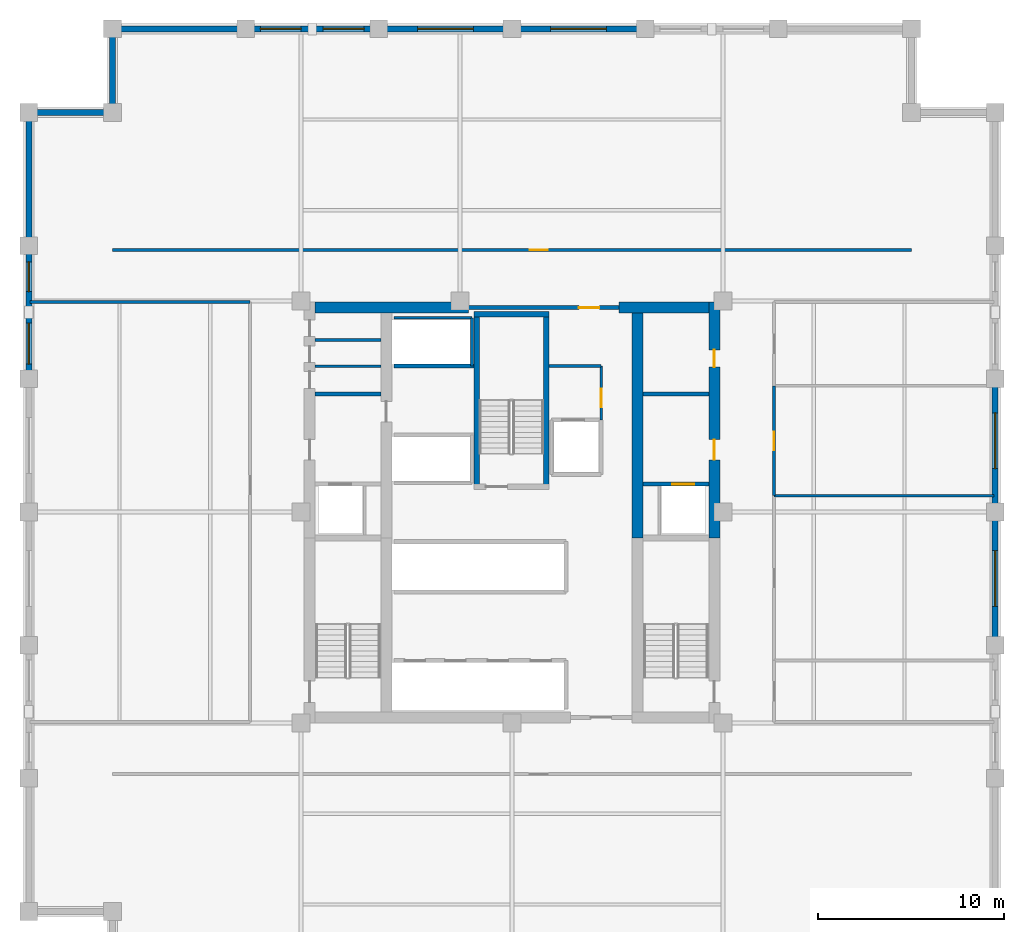
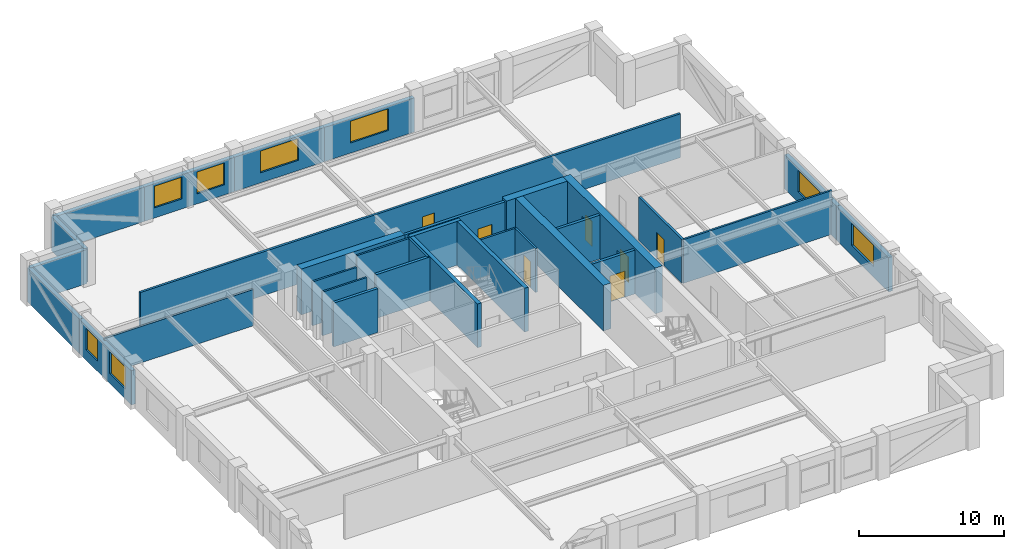
# One storey, part 4 of 6: 32 walls, 8 windows, 7 doors, 15 openings.
"""IFC4 building model written with IfcOpenShell, lengths in metres."""

from ifc_helpers import new_model, si_unit, direction, frame, frame_2d, origin, place, context, subcontext, project, spatial, rectangle, extrude, material, layer, layer_set, type_object, element, fill, save


model = new_model("IFC4")

# Units and contexts
model_context = context("Model", 3, precision=1e-05, world=origin(), true_north=direction((0.0, 1.0)))
body_context = subcontext(model_context, "Body", "Model", "MODEL_VIEW")
ifc_project = project(units=[si_unit("LENGTHUNIT", "METRE"), si_unit("AREAUNIT", "SQUARE_METRE"), si_unit("VOLUMEUNIT", "CUBIC_METRE"), si_unit("PLANEANGLEUNIT", "RADIAN"), si_unit("MASSUNIT", "GRAM", prefix="KILO")], contexts=[model_context])

# Site, building, storey
site_placement = place(None, origin())
site = spatial("IfcSite", under=ifc_project, at=site_placement, CompositionType="ELEMENT")
building_placement = place(site_placement, origin())
building = spatial("IfcBuilding", under=site, at=building_placement, Name="Nhamokura Convention Tower", CompositionType="ELEMENT")
storey_placement = place(building_placement, frame((0.0, 0.0, 145.25)))
storey = spatial("IfcBuildingStorey", under=building, at=storey_placement, Name="L35", CompositionType="ELEMENT", Elevation=145.25)

# Walls
ifc_material_1 = material(Name="Moisture-resistant tile-backer partition", Category="masonry")
ifc_layer_1 = layer(ifc_material_1, 0.139892578125)
ifc_layer_set_1 = layer_set([ifc_layer_1], Name="BathroomWetWall_140")
wall_type_1 = type_object("IfcWallType", Name="BathroomWetWall_140", PredefinedType="STANDARD", material=ifc_layer_set_1)
wall_1_placement = place(storey_placement, frame((21.409912109375, 39.85009765625, 0.0), z_axis=(0.0, 0.0, 1.0), x_axis=(1.0, 0.0, 0.0)))
element("IfcWall", 1, at=wall_1_placement, inside=storey, type_object=wall_type_1, Name="L35 Wall INT-L35-CWNW1", PredefinedType="STANDARD", context=body_context, shape_type="SweptSolid", body=[
    extrude(rectangle(XDim=3.530029296875, YDim=0.139892578125, at=frame_2d((1.76513671875, 0.0))), origin(), (0.0, 0.0, 1.0), 3.68505859375),
])
ifc_material_2 = material(Name="Bronze-pigmented precast concrete C45/55", Category="concrete")
ifc_layer_2 = layer(ifc_material_2, 0.320068359375)
ifc_layer_set_2 = layer_set([ifc_layer_2], Name="BronzePrecastSpandrel_320")
wall_type_2 = type_object("IfcWallType", Name="BronzePrecastSpandrel_320", PredefinedType="USERDEFINED", material=ifc_layer_set_2)
wall_2_placement = place(storey_placement, frame((10.5, 58.0, 0.0), z_axis=(0.0, 0.0, 1.0), x_axis=(1.0, 0.0, 0.0)))
element("IfcWall", 2, at=wall_2_placement, inside=storey, type_object=wall_type_2, Name="L35 Braced-Bay Precast Wall NORTH 0", ObjectType="SPANDREL_WALL", PredefinedType="USERDEFINED", context=body_context, shape_type="SweptSolid", body=[
    extrude(rectangle(XDim=7.166748046875, YDim=0.320068359375, at=frame_2d((3.58349609375, 0.0))), origin(), (0.0, 0.0, 1.0), 2.885009765625),
])

# Wall, openings, windows
wall_3_placement = place(storey_placement, frame((17.666748046875, 58.0, 0.0), z_axis=(0.0, 0.0, 1.0), x_axis=(1.0, 0.0, 0.0)))
wall_3 = element("IfcWall", 3, at=wall_3_placement, inside=storey, type_object=wall_type_2, Name="L35 Masonry-Frame Wall NORTH 1", ObjectType="SPANDREL_WALL", PredefinedType="USERDEFINED", context=body_context, shape_type="SweptSolid", body=[
    extrude(rectangle(XDim=7.16650390625, YDim=0.320068359375, at=frame_2d((3.583251953125, 0.0))), origin(), (0.0, 0.0, 1.0), 2.885009765625),
])
opening_1_placement = place(wall_3_placement, frame((0.791748046875, 0.0, 0.85009765625)))
opening_1 = element("IfcOpeningElement", 4, at=opening_1_placement, cuts=wall_3, Name="Opening W-06", PredefinedType="OPENING", context=body_context, shape_type="SweptSolid", body=[
    extrude(rectangle(XDim=2.199951171875, YDim=1.8349609375, at=frame_2d((1.10009765625, 0.91748046875))), frame((0.0, 0.169921875, 0.0), z_axis=(0.0, -1.0, 0.0), x_axis=(1.0, 0.0, 0.0)), (0.0, 0.0, 1.0), 0.340087890625),
])
opening_2_placement = place(wall_3_placement, frame((4.175048828125, 0.0, 0.85009765625)))
opening_2 = element("IfcOpeningElement", 5, at=opening_2_placement, cuts=wall_3, Name="Opening W-06", PredefinedType="OPENING", context=body_context, shape_type="SweptSolid", body=[
    extrude(rectangle(XDim=2.199951171875, YDim=1.8349609375, at=frame_2d((1.10009765625, 0.91748046875))), frame((0.0, 0.169921875, 0.0), z_axis=(0.0, -1.0, 0.0), x_axis=(1.0, 0.0, 0.0)), (0.0, 0.0, 1.0), 0.340087890625),
])
ifc_material_3 = material(Name="Solar-control bronze low-E double glass", Category="glass")
window_type_1 = type_object("IfcWindowType", Name="OfficeModuleWindow_Z2_2200", PartitioningType="SINGLE_PANEL", PredefinedType="WINDOW", material=ifc_material_3)
window_1_placement = place(opening_1_placement, origin())
window_1 = element("IfcWindow", 6, at=window_1_placement, inside=storey, type_object=window_type_1, Name="L35 Facade Window NORTH 1-1", OverallHeight=1.8349609375, OverallWidth=2.199951171875, PartitioningType="SINGLE_PANEL", PredefinedType="WINDOW", context=body_context, shape_type="SweptSolid", body=[
    extrude(rectangle(XDim=2.199951171875, YDim=1.8349609375, at=frame_2d((1.10009765625, 0.91748046875))), frame((0.0, 0.030029296875, 0.0), z_axis=(0.0, -1.0, 0.0), x_axis=(1.0, 0.0, 0.0)), (0.0, 0.0, 1.0), 0.06005859375),
])
fill(opening_1, window_1)
window_2_placement = place(opening_2_placement, origin())
window_2 = element("IfcWindow", 7, at=window_2_placement, inside=storey, type_object=window_type_1, Name="L35 Facade Window NORTH 1-2", OverallHeight=1.8349609375, OverallWidth=2.199951171875, PartitioningType="SINGLE_PANEL", PredefinedType="WINDOW", context=body_context, shape_type="SweptSolid", body=[
    extrude(rectangle(XDim=2.199951171875, YDim=1.8349609375, at=frame_2d((1.10009765625, 0.91748046875))), frame((0.0, 0.030029296875, 0.0), z_axis=(0.0, -1.0, 0.0), x_axis=(1.0, 0.0, 0.0)), (0.0, 0.0, 1.0), 0.06005859375),
])
fill(opening_2, window_2)

# Wall, opening, window
wall_4_placement = place(storey_placement, frame((24.833251953125, 58.0, 0.0), z_axis=(0.0, 0.0, 1.0), x_axis=(1.0, 0.0, 0.0)))
wall_4 = element("IfcWall", 8, at=wall_4_placement, inside=storey, type_object=wall_type_2, Name="L35 Masonry-Frame Wall NORTH 2", ObjectType="SPANDREL_WALL", PredefinedType="USERDEFINED", context=body_context, shape_type="SweptSolid", body=[
    extrude(rectangle(XDim=7.166748046875, YDim=0.320068359375, at=frame_2d((3.58349609375, 0.0))), origin(), (0.0, 0.0, 1.0), 2.885009765625),
])
opening_3_placement = place(wall_4_placement, frame((2.083251953125, 0.0, 0.85009765625)))
opening_3 = element("IfcOpeningElement", 9, at=opening_3_placement, cuts=wall_4, Name="Opening W-05", PredefinedType="OPENING", context=body_context, shape_type="SweptSolid", body=[
    extrude(rectangle(XDim=3.0, YDim=1.8349609375, at=frame_2d((1.5, 0.91748046875))), frame((0.0, 0.169921875, 0.0), z_axis=(0.0, -1.0, 0.0), x_axis=(1.0, 0.0, 0.0)), (0.0, 0.0, 1.0), 0.340087890625),
])
ifc_material_4 = material(Name="Solar-control bronze low-E double glass", Category="glass")
window_type_2 = type_object("IfcWindowType", Name="OfficeModuleWindow_Z2_3000", PartitioningType="DOUBLE_PANEL_VERTICAL", PredefinedType="WINDOW", material=ifc_material_4)
window_3_placement = place(opening_3_placement, origin())
window_3 = element("IfcWindow", 10, at=window_3_placement, inside=storey, type_object=window_type_2, Name="L35 Facade Window NORTH 2", OverallHeight=1.8349609375, OverallWidth=3.0, PartitioningType="SINGLE_PANEL", PredefinedType="WINDOW", context=body_context, shape_type="SweptSolid", body=[
    extrude(rectangle(XDim=3.0, YDim=1.8349609375, at=frame_2d((1.5, 0.91748046875))), frame((0.0, 0.030029296875, 0.0), z_axis=(0.0, -1.0, 0.0), x_axis=(1.0, 0.0, 0.0)), (0.0, 0.0, 1.0), 0.06005859375),
])
fill(opening_3, window_3)

wall_5_placement = place(storey_placement, frame((32.0, 58.0, 0.0), z_axis=(0.0, 0.0, 1.0), x_axis=(1.0, 0.0, 0.0)))
wall_5 = element("IfcWall", 11, at=wall_5_placement, inside=storey, type_object=wall_type_2, Name="L35 Masonry-Frame Wall NORTH 3", ObjectType="SPANDREL_WALL", PredefinedType="USERDEFINED", context=body_context, shape_type="SweptSolid", body=[
    extrude(rectangle(XDim=7.166748046875, YDim=0.320068359375, at=frame_2d((3.58349609375, 0.0))), origin(), (0.0, 0.0, 1.0), 2.885009765625),
])
opening_4_placement = place(wall_5_placement, frame((2.083251953125, 0.0, 0.85009765625)))
opening_4 = element("IfcOpeningElement", 12, at=opening_4_placement, cuts=wall_5, Name="Opening W-05", PredefinedType="OPENING", context=body_context, shape_type="SweptSolid", body=[
    extrude(rectangle(XDim=3.0, YDim=1.8349609375, at=frame_2d((1.5, 0.91748046875))), frame((0.0, 0.169921875, 0.0), z_axis=(0.0, -1.0, 0.0), x_axis=(1.0, 0.0, 0.0)), (0.0, 0.0, 1.0), 0.340087890625),
])
window_4_placement = place(opening_4_placement, origin())
window_4 = element("IfcWindow", 13, at=window_4_placement, inside=storey, type_object=window_type_2, Name="L35 Facade Window NORTH 3", OverallHeight=1.8349609375, OverallWidth=3.0, PartitioningType="SINGLE_PANEL", PredefinedType="WINDOW", context=body_context, shape_type="SweptSolid", body=[
    extrude(rectangle(XDim=3.0, YDim=1.8349609375, at=frame_2d((1.5, 0.91748046875))), frame((0.0, 0.030029296875, 0.0), z_axis=(0.0, -1.0, 0.0), x_axis=(1.0, 0.0, 0.0)), (0.0, 0.0, 1.0), 0.06005859375),
])
fill(opening_4, window_4)

# Wall, openings, windows
wall_6_placement = place(storey_placement, frame((6.0, 39.166748046875, 0.0), z_axis=(0.0, 0.0, 1.0), x_axis=(0.0, 1.0, 0.0)))
wall_6 = element("IfcWall", 14, at=wall_6_placement, inside=storey, type_object=wall_type_2, Name="L35 Masonry-Frame Wall WEST 4", ObjectType="SPANDREL_WALL", PredefinedType="USERDEFINED", context=body_context, shape_type="SweptSolid", body=[
    extrude(rectangle(XDim=7.16650390625, YDim=0.320068359375, at=frame_2d((3.583251953125, 0.0))), origin(), (0.0, 0.0, 1.0), 2.885009765625),
])
opening_5_placement = place(wall_6_placement, frame((0.791748046875, 0.0, 0.85009765625)))
opening_5 = element("IfcOpeningElement", 15, at=opening_5_placement, cuts=wall_6, Name="Opening W-06", PredefinedType="OPENING", context=body_context, shape_type="SweptSolid", body=[
    extrude(rectangle(XDim=2.199951171875, YDim=1.8349609375, at=frame_2d((1.10009765625, 0.91748046875))), frame((0.0, 0.169921875, 0.0), z_axis=(0.0, -1.0, 0.0), x_axis=(1.0, 0.0, 0.0)), (0.0, 0.0, 1.0), 0.340087890625),
])
opening_6_placement = place(wall_6_placement, frame((4.6875, 0.0, 0.85009765625)))
opening_6 = element("IfcOpeningElement", 16, at=opening_6_placement, cuts=wall_6, Name="Opening W-11", PredefinedType="OPENING", context=body_context, shape_type="SweptSolid", body=[
    extrude(rectangle(XDim=1.60009765625, YDim=1.8349609375, at=frame_2d((0.800048828125, 0.91748046875))), frame((0.0, 0.169921875, 0.0), z_axis=(0.0, -1.0, 0.0), x_axis=(1.0, 0.0, 0.0)), (0.0, 0.0, 1.0), 0.340087890625),
])
ifc_material_5 = material(Name="Solar-control bronze low-E double glass", Category="glass")
window_type_3 = type_object("IfcWindowType", Name="NotchCornerWindow_1600", PartitioningType="SINGLE_PANEL", PredefinedType="WINDOW", material=ifc_material_5)
window_5_placement = place(opening_6_placement, origin())
window_5 = element("IfcWindow", 17, at=window_5_placement, inside=storey, type_object=window_type_3, Name="L35 Facade Window WEST 4-2", OverallHeight=1.8349609375, OverallWidth=1.60009765625, PartitioningType="SINGLE_PANEL", PredefinedType="WINDOW", context=body_context, shape_type="SweptSolid", body=[
    extrude(rectangle(XDim=1.60009765625, YDim=1.8349609375, at=frame_2d((0.800048828125, 0.91748046875))), frame((0.0, 0.030029296875, 0.0), z_axis=(0.0, -1.0, 0.0), x_axis=(1.0, 0.0, 0.0)), (0.0, 0.0, 1.0), 0.06005859375),
])
fill(opening_6, window_5)
window_6_placement = place(opening_5_placement, origin())
window_6 = element("IfcWindow", 18, at=window_6_placement, inside=storey, type_object=window_type_1, Name="L35 Facade Window WEST 4-1", OverallHeight=1.8349609375, OverallWidth=2.199951171875, PartitioningType="SINGLE_PANEL", PredefinedType="WINDOW", context=body_context, shape_type="SweptSolid", body=[
    extrude(rectangle(XDim=2.199951171875, YDim=1.8349609375, at=frame_2d((1.10009765625, 0.91748046875))), frame((0.0, 0.030029296875, 0.0), z_axis=(0.0, -1.0, 0.0), x_axis=(1.0, 0.0, 0.0)), (0.0, 0.0, 1.0), 0.06005859375),
])
fill(opening_5, window_6)

# Wall
wall_7_placement = place(storey_placement, frame((6.0, 46.333251953125, 0.0), z_axis=(0.0, 0.0, 1.0), x_axis=(0.0, 1.0, 0.0)))
element("IfcWall", 19, at=wall_7_placement, inside=storey, type_object=wall_type_2, Name="L35 Braced-Bay Precast Wall WEST 5", ObjectType="SPANDREL_WALL", PredefinedType="USERDEFINED", context=body_context, shape_type="SweptSolid", body=[
    extrude(rectangle(XDim=7.166748046875, YDim=0.320068359375, at=frame_2d((3.58349609375, 0.0))), origin(), (0.0, 0.0, 1.0), 2.885009765625),
])

# Wall, opening, window
wall_8_placement = place(storey_placement, frame((58.0, 32.0, 0.0), z_axis=(0.0, 0.0, 1.0), x_axis=(0.0, -1.0, 0.0)))
wall_8 = element("IfcWall", 20, at=wall_8_placement, inside=storey, type_object=wall_type_2, Name="L35 Masonry-Frame Wall EAST 2", ObjectType="SPANDREL_WALL", PredefinedType="USERDEFINED", context=body_context, shape_type="SweptSolid", body=[
    extrude(rectangle(XDim=7.166748046875, YDim=0.320068359375, at=frame_2d((3.58349609375, 0.0))), origin(), (0.0, 0.0, 1.0), 2.885009765625),
])
opening_7_placement = place(wall_8_placement, frame((2.083251953125, 0.0, 0.85009765625)))
opening_7 = element("IfcOpeningElement", 21, at=opening_7_placement, cuts=wall_8, Name="Opening W-05", PredefinedType="OPENING", context=body_context, shape_type="SweptSolid", body=[
    extrude(rectangle(XDim=3.0, YDim=1.8349609375, at=frame_2d((1.5, 0.91748046875))), frame((0.0, 0.169921875, 0.0), z_axis=(0.0, -1.0, 0.0), x_axis=(1.0, 0.0, 0.0)), (0.0, 0.0, 1.0), 0.340087890625),
])
window_7_placement = place(opening_7_placement, origin())
window_7 = element("IfcWindow", 22, at=window_7_placement, inside=storey, type_object=window_type_2, Name="L35 Facade Window EAST 2", OverallHeight=1.8349609375, OverallWidth=3.0, PartitioningType="SINGLE_PANEL", PredefinedType="WINDOW", context=body_context, shape_type="SweptSolid", body=[
    extrude(rectangle(XDim=3.0, YDim=1.8349609375, at=frame_2d((1.5, 0.91748046875))), frame((0.0, 0.030029296875, 0.0), z_axis=(0.0, -1.0, 0.0), x_axis=(1.0, 0.0, 0.0)), (0.0, 0.0, 1.0), 0.06005859375),
])
fill(opening_7, window_7)

wall_9_placement = place(storey_placement, frame((58.0, 39.166748046875, 0.0), z_axis=(0.0, 0.0, 1.0), x_axis=(0.0, -1.0, 0.0)))
wall_9 = element("IfcWall", 23, at=wall_9_placement, inside=storey, type_object=wall_type_2, Name="L35 Masonry-Frame Wall EAST 3", ObjectType="SPANDREL_WALL", PredefinedType="USERDEFINED", context=body_context, shape_type="SweptSolid", body=[
    extrude(rectangle(XDim=7.166748046875, YDim=0.320068359375, at=frame_2d((3.58349609375, 0.0))), origin(), (0.0, 0.0, 1.0), 2.885009765625),
])
opening_8_placement = place(wall_9_placement, frame((1.833251953125, 0.0, 0.85009765625)))
opening_8 = element("IfcOpeningElement", 24, at=opening_8_placement, cuts=wall_9, Name="Opening W-05", PredefinedType="OPENING", context=body_context, shape_type="SweptSolid", body=[
    extrude(rectangle(XDim=3.0, YDim=1.8349609375, at=frame_2d((1.5, 0.91748046875))), frame((0.0, 0.169921875, 0.0), z_axis=(0.0, -1.0, 0.0), x_axis=(1.0, 0.0, 0.0)), (0.0, 0.0, 1.0), 0.340087890625),
])
window_8_placement = place(opening_8_placement, origin())
window_8 = element("IfcWindow", 25, at=window_8_placement, inside=storey, type_object=window_type_2, Name="L35 Facade Window EAST 3", OverallHeight=1.8349609375, OverallWidth=3.0, PartitioningType="SINGLE_PANEL", PredefinedType="WINDOW", context=body_context, shape_type="SweptSolid", body=[
    extrude(rectangle(XDim=3.0, YDim=1.8349609375, at=frame_2d((1.5, 0.91748046875))), frame((0.0, 0.030029296875, 0.0), z_axis=(0.0, -1.0, 0.0), x_axis=(1.0, 0.0, 0.0)), (0.0, 0.0, 1.0), 0.06005859375),
])
fill(opening_8, window_8)

# Walls
for number, where, z_axis, x_axis, name in (
    (26, (10.5, 53.5, 0.0), (0.0, 0.0, 1.0), (0.0, 1.0, 0.0), "L35 Notched Corner Wall NW1"),
    (27, (6.0, 53.5, 0.0), (0.0, 0.0, 1.0), (1.0, 0.0, 0.0), "L35 Notched Corner Wall NW2"),
):
    element("IfcWall", number, at=place(storey_placement, frame(where, z_axis=z_axis, x_axis=x_axis)), inside=storey, type_object=wall_type_2, Name=name, ObjectType="SPANDREL_WALL", PredefinedType="USERDEFINED", context=body_context, shape_type="SweptSolid", body=[
        extrude(rectangle(XDim=4.5, YDim=0.320068359375, at=frame_2d((2.25, 0.0))), origin(), (0.0, 0.0, 1.0), 2.885009765625),
    ])

# Wall, openings, doors
ifc_material_6 = material(Name="Concrete C60/75", Category="concrete")
ifc_layer_3 = layer(ifc_material_6, 0.60009765625)
ifc_layer_set_3 = layer_set([ifc_layer_3], Name="CoreShearWall_600")
wall_type_3 = type_object("IfcWallType", Name="CoreShearWall_600", PredefinedType="SHEAR", material=ifc_layer_set_3)
wall_10_placement = place(storey_placement, frame((42.889892578125, 30.60009765625, 0.0), z_axis=(0.0, 0.0, 1.0), x_axis=(0.0, 1.0, 0.0)))
wall_10 = element("IfcWall", 28, at=wall_10_placement, inside=storey, type_object=wall_type_3, Name="L35 Core Shear Wall CW-EN", PredefinedType="SHEAR", context=body_context, shape_type="SweptSolid", body=[
    extrude(rectangle(XDim=12.699951171875, YDim=0.60009765625, at=frame_2d((6.35009765625, 0.0))), origin(), (0.0, 0.0, 1.0), 3.85009765625),
])
opening_9_placement = place(wall_10_placement, frame((4.199951171875, 0.0, 0.0)))
opening_9 = element("IfcOpeningElement", 29, at=opening_9_placement, cuts=wall_10, Name="Opening D-05", PredefinedType="OPENING", context=body_context, shape_type="SweptSolid", body=[
    extrude(rectangle(XDim=1.10009765625, YDim=2.14990234375, at=frame_2d((0.550048828125, 1.074951171875))), frame((0.0, 0.31005859375, 0.0), z_axis=(0.0, -1.0, 0.0), x_axis=(1.0, 0.0, 0.0)), (0.0, 0.0, 1.0), 0.6201171875),
])
opening_10_placement = place(wall_10_placement, frame((9.199951171875, 0.0, 0.0)))
opening_10 = element("IfcOpeningElement", 30, at=opening_10_placement, cuts=wall_10, Name="Opening D-10", PredefinedType="OPENING", context=body_context, shape_type="SweptSolid", body=[
    extrude(rectangle(XDim=0.919921875, YDim=2.10009765625, at=frame_2d((0.4599609375, 1.050048828125))), frame((0.0, 0.31005859375, 0.0), z_axis=(0.0, -1.0, 0.0), x_axis=(1.0, 0.0, 0.0)), (0.0, 0.0, 1.0), 0.6201171875),
])
ifc_material_7 = material(Name="Solid oak hardwood", Category="wood")
door_type_1 = type_object("IfcDoorType", Name="AccessibleWCDoor_920", OperationType="NOTDEFINED", PredefinedType="DOOR", material=ifc_material_7)
door_1_placement = place(opening_10_placement, origin())
door_1 = element("IfcDoor", 31, at=door_1_placement, inside=storey, type_object=door_type_1, Name="L35 Core Door INT-L35-D-UWC", OperationType="SINGLE_SWING_RIGHT", OverallHeight=2.10009765625, OverallWidth=0.919921875, PredefinedType="DOOR", context=body_context, shape_type="SweptSolid", body=[
    extrude(rectangle(XDim=0.919921875, YDim=2.10009765625, at=frame_2d((0.4599609375, 1.050048828125))), frame((0.0, 0.02490234375, 0.0), z_axis=(0.0, -1.0, 0.0), x_axis=(1.0, 0.0, 0.0)), (0.0, 0.0, 1.0), 0.050048828125),
])
fill(opening_10, door_1)
ifc_material_8 = material(Name="Fire-rated steel door", Category="steel")
door_type_2 = type_object("IfcDoorType", Name="FireLobbyDoor_1100", OperationType="NOTDEFINED", PredefinedType="DOOR", material=ifc_material_8)
door_2_placement = place(opening_9_placement, origin())
door_2 = element("IfcDoor", 32, at=door_2_placement, inside=storey, type_object=door_type_2, Name="L35 Core Door INT-L35-D-FFLE", OperationType="SINGLE_SWING_LEFT", OverallHeight=2.14990234375, OverallWidth=1.10009765625, PredefinedType="DOOR", context=body_context, shape_type="SweptSolid", body=[
    extrude(rectangle(XDim=1.10009765625, YDim=2.14990234375, at=frame_2d((0.550048828125, 1.074951171875))), frame((0.0, 0.02490234375, 0.0), z_axis=(0.0, -1.0, 0.0), x_axis=(1.0, 0.0, 0.0)), (0.0, 0.0, 1.0), 0.050048828125),
])
fill(opening_9, door_2)

# Walls
wall_11_placement = place(storey_placement, frame((21.409912109375, 43.0, 0.0), z_axis=(0.0, 0.0, 1.0), x_axis=(1.0, 0.0, 0.0)))
element("IfcWall", 33, at=wall_11_placement, inside=storey, type_object=wall_type_3, Name="L35 Core Shear Wall CW-N1", PredefinedType="SHEAR", context=body_context, shape_type="SweptSolid", body=[
    extrude(rectangle(XDim=8.239990234375, YDim=0.60009765625, at=frame_2d((4.1201171875, 0.0))), origin(), (0.0, 0.0, 1.0), 3.85009765625),
])
wall_12_placement = place(storey_placement, frame((37.75, 43.0, 0.0), z_axis=(0.0, 0.0, 1.0), x_axis=(1.0, 0.0, 0.0)))
element("IfcWall", 34, at=wall_12_placement, inside=storey, type_object=wall_type_3, Name="L35 Core Shear Wall CW-N2", PredefinedType="SHEAR", context=body_context, shape_type="SweptSolid", body=[
    extrude(rectangle(XDim=4.840087890625, YDim=0.60009765625, at=frame_2d((2.419921875, 0.0))), origin(), (0.0, 0.0, 1.0), 3.85009765625),
])
wall_13_placement = place(storey_placement, frame((38.760009765625, 30.60009765625, 0.0), z_axis=(0.0, 0.0, 1.0), x_axis=(0.0, 1.0, 0.0)))
element("IfcWall", 35, at=wall_13_placement, inside=storey, type_object=wall_type_3, Name="L35 Core Shear Wall CW-IEN", PredefinedType="SHEAR", context=body_context, shape_type="SweptSolid", body=[
    extrude(rectangle(XDim=12.099853515625, YDim=0.60009765625, at=frame_2d((6.0498046875, 0.0))), origin(), (0.0, 0.0, 1.0), 3.85009765625),
])

# Wall, opening, door
ifc_material_9 = material(Name="Fire-rated gypsum and masonry partition", Category="masonry")
ifc_layer_4 = layer(ifc_material_9, 0.179931640625)
ifc_layer_set_4 = layer_set([ifc_layer_4], Name="CorridorRatedWall_180")
wall_type_4 = type_object("IfcWallType", Name="CorridorRatedWall_180", PredefinedType="STANDARD", material=ifc_layer_set_4)
wall_14_placement = place(storey_placement, frame((10.5, 46.10009765625, 0.0), z_axis=(0.0, 0.0, 1.0), x_axis=(1.0, 0.0, 0.0)))
wall_14 = element("IfcWall", 36, at=wall_14_placement, inside=storey, type_object=wall_type_4, Name="L35 Wall INT-L35-CW-N00", PredefinedType="STANDARD", context=body_context, shape_type="SweptSolid", body=[
    extrude(rectangle(XDim=43.0, YDim=0.179931640625, at=frame_2d((21.5, 0.0))), origin(), (0.0, 0.0, 1.0), 3.68505859375),
])
opening_11_placement = place(wall_14_placement, frame((22.449951171875, 0.0, 0.0)))
opening_11 = element("IfcOpeningElement", 37, at=opening_11_placement, cuts=wall_14, Name="Opening D-08", PredefinedType="OPENING", context=body_context, shape_type="SweptSolid", body=[
    extrude(rectangle(XDim=0.97998046875, YDim=2.199951171875, at=frame_2d((0.489990234375, 1.10009765625))), frame((0.0, 0.099853515625, 0.0), z_axis=(0.0, -1.0, 0.0), x_axis=(1.0, 0.0, 0.0)), (0.0, 0.0, 1.0), 0.199951171875),
])
ifc_material_10 = material(Name="Solid oak hardwood", Category="wood")
door_type_3 = type_object("IfcDoorType", Name="OfficeEntryDoor_980", OperationType="NOTDEFINED", PredefinedType="DOOR", material=ifc_material_10)
door_3_placement = place(opening_11_placement, origin())
door_3 = element("IfcDoor", 38, at=door_3_placement, inside=storey, type_object=door_type_3, Name="L35 Conference Hall N01 Door", OperationType="SINGLE_SWING_LEFT", OverallHeight=2.199951171875, OverallWidth=0.97998046875, PredefinedType="DOOR", context=body_context, shape_type="SweptSolid", body=[
    extrude(rectangle(XDim=0.97998046875, YDim=2.199951171875, at=frame_2d((0.489990234375, 1.10009765625))), frame((0.0, 0.02490234375, 0.0), z_axis=(0.0, -1.0, 0.0), x_axis=(1.0, 0.0, 0.0)), (0.0, 0.0, 1.0), 0.050048828125),
])
fill(opening_11, door_3)

wall_15_placement = place(storey_placement, frame((46.10009765625, 32.875, 0.0), z_axis=(0.0, 0.0, 1.0), x_axis=(0.0, 1.0, 0.0)))
wall_15 = element("IfcWall", 39, at=wall_15_placement, inside=storey, type_object=wall_type_4, Name="L35 Wall INT-L35-CW-E02", PredefinedType="STANDARD", context=body_context, shape_type="SweptSolid", body=[
    extrude(rectangle(XDim=5.916748046875, YDim=0.179931640625, at=frame_2d((2.95849609375, 0.0))), origin(), (0.0, 0.0, 1.0), 3.68505859375),
])
opening_12_placement = place(wall_15_placement, frame((2.458251953125, 0.0, 0.0)))
opening_12 = element("IfcOpeningElement", 40, at=opening_12_placement, cuts=wall_15, Name="Opening D-08", PredefinedType="OPENING", context=body_context, shape_type="SweptSolid", body=[
    extrude(rectangle(XDim=0.97998046875, YDim=2.199951171875, at=frame_2d((0.489990234375, 1.10009765625))), frame((0.0, 0.099853515625, 0.0), z_axis=(0.0, -1.0, 0.0), x_axis=(1.0, 0.0, 0.0)), (0.0, 0.0, 1.0), 0.199951171875),
])
door_4_placement = place(opening_12_placement, origin())
door_4 = element("IfcDoor", 41, at=door_4_placement, inside=storey, type_object=door_type_3, Name="L35 Meeting Room E03 Door", OperationType="SINGLE_SWING_LEFT", OverallHeight=2.199951171875, OverallWidth=0.97998046875, PredefinedType="DOOR", context=body_context, shape_type="SweptSolid", body=[
    extrude(rectangle(XDim=0.97998046875, YDim=2.199951171875, at=frame_2d((0.489990234375, 1.10009765625))), frame((0.0, 0.02490234375, 0.0), z_axis=(0.0, -1.0, 0.0), x_axis=(1.0, 0.0, 0.0)), (0.0, 0.0, 1.0), 0.050048828125),
])
fill(opening_12, door_4)

ifc_material_11 = material(Name="Autoclaved concrete blockwork", Category="masonry")
ifc_layer_5 = layer(ifc_material_11, 0.219970703125)
ifc_layer_set_5 = layer_set([ifc_layer_5], Name="FireLobbyWall_220")
wall_type_5 = type_object("IfcWallType", Name="FireLobbyWall_220", PredefinedType="STANDARD", material=ifc_layer_set_5)
wall_16_placement = place(storey_placement, frame((39.06005859375, 33.5, 0.0), z_axis=(0.0, 0.0, 1.0), x_axis=(1.0, 0.0, 0.0)))
wall_16 = element("IfcWall", 42, at=wall_16_placement, inside=storey, type_object=wall_type_5, Name="L35 Wall INT-L35-FFE-S", PredefinedType="STANDARD", context=body_context, shape_type="SweptSolid", body=[
    extrude(rectangle(XDim=3.530029296875, YDim=0.219970703125, at=frame_2d((1.76513671875, 0.0))), origin(), (0.0, 0.0, 1.0), 3.68505859375),
])
opening_13_placement = place(wall_16_placement, frame((1.550048828125, 0.0, 0.0)))
opening_13 = element("IfcOpeningElement", 43, at=opening_13_placement, cuts=wall_16, Name="Opening LD-02", PredefinedType="OPENING", context=body_context, shape_type="SweptSolid", body=[
    extrude(rectangle(XDim=1.199951171875, YDim=2.199951171875, at=frame_2d((0.60009765625, 1.10009765625))), frame((0.0, 0.119873046875, 0.0), z_axis=(0.0, -1.0, 0.0), x_axis=(1.0, 0.0, 0.0)), (0.0, 0.0, 1.0), 0.239990234375),
])
ifc_material_12 = material(Name="Anodised bronze stainless steel", Category="steel")
door_type_4 = type_object("IfcDoorType", Name="LiftLandingDoor_FireService", OperationType="DOUBLE_DOOR_SLIDING", PredefinedType="DOOR", material=ifc_material_12)
door_5_placement = place(opening_13_placement, origin())
door_5 = element("IfcDoor", 44, at=door_5_placement, inside=storey, type_object=door_type_4, Name="L35 Firefighting Lift LF-02 Door", OperationType="DOUBLE_DOOR_SLIDING", OverallHeight=2.199951171875, OverallWidth=1.199951171875, PredefinedType="DOOR", context=body_context, shape_type="SweptSolid", body=[
    extrude(rectangle(XDim=1.199951171875, YDim=2.199951171875, at=frame_2d((0.60009765625, 1.10009765625))), frame((0.0, 0.02490234375, 0.0), z_axis=(0.0, -1.0, 0.0), x_axis=(1.0, 0.0, 0.0)), (0.0, 0.0, 1.0), 0.050048828125),
])
fill(opening_13, door_5)

# Walls
for number, where, z_axis, x_axis, name in (
    (45, (21.409912109375, 38.35009765625, 0.0), (0.0, 0.0, 1.0), (1.0, 0.0, 0.0), "L35 Wall INT-L35-FFW-N"),
    (46, (39.06005859375, 38.35009765625, 0.0), (0.0, 0.0, 1.0), (1.0, 0.0, 0.0), "L35 Wall INT-L35-FFE-N"),
):
    element("IfcWall", number, at=place(storey_placement, frame(where, z_axis=z_axis, x_axis=x_axis)), inside=storey, type_object=wall_type_5, Name=name, PredefinedType="STANDARD", context=body_context, shape_type="SweptSolid", body=[
        extrude(rectangle(XDim=3.530029296875, YDim=0.219970703125, at=frame_2d((1.76513671875, 0.0))), origin(), (0.0, 0.0, 1.0), 3.68505859375),
    ])
wall_17_placement = place(storey_placement, frame((25.64990234375, 39.85009765625, 0.0), z_axis=(0.0, 0.0, 1.0), x_axis=(1.0, 0.0, 0.0)))
element("IfcWall", 47, at=wall_17_placement, inside=storey, type_object=wall_type_5, Name="L35 Wall INT-L35-B3N", PredefinedType="STANDARD", context=body_context, shape_type="SweptSolid", body=[
    extrude(rectangle(XDim=4.300048828125, YDim=0.219970703125, at=frame_2d((2.14990234375, 0.0))), origin(), (0.0, 0.0, 1.0), 3.68505859375),
])

# Wall, opening, door
wall_18_placement = place(storey_placement, frame((29.64990234375, 43.0, 0.0), z_axis=(0.0, 0.0, 1.0), x_axis=(1.0, 0.0, 0.0)))
wall_18 = element("IfcWall", 48, at=wall_18_placement, inside=storey, type_object=wall_type_5, Name="L35 Wall INT-L35-CPORT-N", PredefinedType="STANDARD", context=body_context, shape_type="SweptSolid", body=[
    extrude(rectangle(XDim=8.10009765625, YDim=0.219970703125, at=frame_2d((4.050048828125, 0.0))), origin(), (0.0, 0.0, 1.0), 3.68505859375),
])
opening_14_placement = place(wall_18_placement, frame((5.949951171875, 0.0, 0.0)))
opening_14 = element("IfcOpeningElement", 49, at=opening_14_placement, cuts=wall_18, Name="Opening D-05", PredefinedType="OPENING", context=body_context, shape_type="SweptSolid", body=[
    extrude(rectangle(XDim=1.10009765625, YDim=2.14990234375, at=frame_2d((0.550048828125, 1.074951171875))), frame((0.0, 0.119873046875, 0.0), z_axis=(0.0, -1.0, 0.0), x_axis=(1.0, 0.0, 0.0)), (0.0, 0.0, 1.0), 0.239990234375),
])
door_6_placement = place(opening_14_placement, origin())
door_6 = element("IfcDoor", 50, at=door_6_placement, inside=storey, type_object=door_type_2, Name="L35 North Core Lobby Portal Door", OperationType="SINGLE_SWING_RIGHT", OverallHeight=2.14990234375, OverallWidth=1.10009765625, PredefinedType="DOOR", context=body_context, shape_type="SweptSolid", body=[
    extrude(rectangle(XDim=1.10009765625, YDim=2.14990234375, at=frame_2d((0.550048828125, 1.074951171875))), frame((0.0, 0.02490234375, 0.0), z_axis=(0.0, -1.0, 0.0), x_axis=(1.0, 0.0, 0.0)), (0.0, 0.0, 1.0), 0.050048828125),
])
fill(opening_14, door_6)

# Walls
ifc_material_13 = material(Name="Acoustic gypsum stud partition", Category="masonry")
ifc_layer_6 = layer(ifc_material_13, 0.14990234375)
ifc_layer_set_6 = layer_set([ifc_layer_6], Name="InteriorPartition_150")
wall_type_6 = type_object("IfcWallType", Name="InteriorPartition_150", PredefinedType="STANDARD", material=ifc_layer_set_6)
wall_19_placement = place(storey_placement, frame((21.409912109375, 41.25, 0.0), z_axis=(0.0, 0.0, 1.0), x_axis=(1.0, 0.0, 0.0)))
element("IfcWall", 51, at=wall_19_placement, inside=storey, type_object=wall_type_6, Name="L35 Wall INT-L35-CWNW2", PredefinedType="STANDARD", context=body_context, shape_type="SweptSolid", body=[
    extrude(rectangle(XDim=3.530029296875, YDim=0.14990234375, at=frame_2d((1.76513671875, 0.0))), origin(), (0.0, 0.0, 1.0), 3.68505859375),
])
wall_20_placement = place(storey_placement, frame((34.0, 39.85009765625, 0.0), z_axis=(0.0, 0.0, 1.0), x_axis=(1.0, 0.0, 0.0)))
element("IfcWall", 52, at=wall_20_placement, inside=storey, type_object=wall_type_6, Name="L35 Wall INT-L35-NE-TELN", PredefinedType="STANDARD", context=body_context, shape_type="SweptSolid", body=[
    extrude(rectangle(XDim=2.800048828125, YDim=0.14990234375, at=frame_2d((1.39990234375, 0.0))), origin(), (0.0, 0.0, 1.0), 3.68505859375),
])

# Wall, opening, door
wall_21_placement = place(storey_placement, frame((36.800048828125, 36.949951171875, 0.0), z_axis=(0.0, 0.0, 1.0), x_axis=(0.0, 1.0, 0.0)))
wall_21 = element("IfcWall", 53, at=wall_21_placement, inside=storey, type_object=wall_type_6, Name="L35 Wall INT-L35-NE-TELE", PredefinedType="STANDARD", context=body_context, shape_type="SweptSolid", body=[
    extrude(rectangle(XDim=2.900146484375, YDim=0.14990234375, at=frame_2d((1.4501953125, 0.0))), origin(), (0.0, 0.0, 1.0), 3.68505859375),
])
opening_15_placement = place(wall_21_placement, frame((0.699951171875, 0.0, 0.0)))
opening_15 = element("IfcOpeningElement", 54, at=opening_15_placement, cuts=wall_21, Name="Opening D-08", PredefinedType="OPENING", context=body_context, shape_type="SweptSolid", body=[
    extrude(rectangle(XDim=0.97998046875, YDim=2.199951171875, at=frame_2d((0.489990234375, 1.10009765625))), frame((0.0, 0.0849609375, 0.0), z_axis=(0.0, -1.0, 0.0), x_axis=(1.0, 0.0, 0.0)), (0.0, 0.0, 1.0), 0.169921875),
])
door_7_placement = place(opening_15_placement, origin())
door_7 = element("IfcDoor", 55, at=door_7_placement, inside=storey, type_object=door_type_3, Name="L35 Core Telecom Door", OperationType="SINGLE_SWING_LEFT", OverallHeight=2.199951171875, OverallWidth=0.97998046875, PredefinedType="DOOR", context=body_context, shape_type="SweptSolid", body=[
    extrude(rectangle(XDim=0.97998046875, YDim=2.199951171875, at=frame_2d((0.489990234375, 1.10009765625))), frame((0.0, 0.02490234375, 0.0), z_axis=(0.0, -1.0, 0.0), x_axis=(1.0, 0.0, 0.0)), (0.0, 0.0, 1.0), 0.050048828125),
])
fill(opening_15, door_7)

# Walls
wall_22_placement = place(storey_placement, frame((25.64990234375, 42.449951171875, 0.0), z_axis=(0.0, 0.0, 1.0), x_axis=(1.0, 0.0, 0.0)))
element("IfcWall", 56, at=wall_22_placement, inside=storey, type_object=wall_type_6, Name="L35 Wall INT-L35-B3B-N", PredefinedType="STANDARD", context=body_context, shape_type="SweptSolid", body=[
    extrude(rectangle(XDim=4.2001953125, YDim=0.14990234375, at=frame_2d((2.10009765625, 0.0))), origin(), (0.0, 0.0, 1.0), 3.68505859375),
])
wall_23_placement = place(storey_placement, frame((29.85009765625, 39.85009765625, 0.0), z_axis=(0.0, 0.0, 1.0), x_axis=(0.0, 1.0, 0.0)))
element("IfcWall", 57, at=wall_23_placement, inside=storey, type_object=wall_type_6, Name="L35 Wall INT-L35-B3B-E", PredefinedType="STANDARD", context=body_context, shape_type="SweptSolid", body=[
    extrude(rectangle(XDim=2.599853515625, YDim=0.14990234375, at=frame_2d((1.2998046875, 0.0))), origin(), (0.0, 0.0, 1.0), 3.68505859375),
])
wall_24_placement = place(storey_placement, frame((6.06005859375, 43.300048828125, 0.0), z_axis=(0.0, 0.0, 1.0), x_axis=(1.0, 0.0, 0.0)))
element("IfcWall", 58, at=wall_24_placement, inside=storey, type_object=wall_type_6, Name="L35 Wall INT-L35-RWT-W", PredefinedType="STANDARD", context=body_context, shape_type="SweptSolid", body=[
    extrude(rectangle(XDim=11.83984375, YDim=0.14990234375, at=frame_2d((5.919921875, 0.0))), origin(), (0.0, 0.0, 1.0), 3.055908203125),
])
wall_25_placement = place(storey_placement, frame((46.10009765625, 32.875, 0.0), z_axis=(0.0, 0.0, 1.0), x_axis=(1.0, 0.0, 0.0)))
element("IfcWall", 59, at=wall_25_placement, inside=storey, type_object=wall_type_6, Name="L35 Wall INT-L35-RW-E02", PredefinedType="STANDARD", context=body_context, shape_type="SweptSolid", body=[
    extrude(rectangle(XDim=11.83984375, YDim=0.14990234375, at=frame_2d((5.919921875, 0.0))), origin(), (0.0, 0.0, 1.0), 3.68505859375),
])
ifc_material_14 = material(Name="Concrete C50/60", Category="concrete")
ifc_layer_7 = layer(ifc_material_14, 0.300048828125)
ifc_layer_set_7 = layer_set([ifc_layer_7], Name="ShaftEnclosureWall_300")
wall_type_7 = type_object("IfcWallType", Name="ShaftEnclosureWall_300", PredefinedType="SHEAR", material=ifc_layer_set_7)
for number, where, z_axis, x_axis, name in (
    (60, (30.10009765625, 33.199951171875, 0.0), (0.0, 0.0, 1.0), (0.0, 1.0, 0.0), "L35 Wall INT-L35-ST03W"),
    (61, (33.85009765625, 33.199951171875, 0.0), (0.0, 0.0, 1.0), (0.0, 1.0, 0.0), "L35 Wall INT-L35-ST03E"),
):
    element("IfcWall", number, at=place(storey_placement, frame(where, z_axis=z_axis, x_axis=x_axis)), inside=storey, type_object=wall_type_7, Name=name, PredefinedType="SHEAR", context=body_context, shape_type="SweptSolid", body=[
        extrude(rectangle(XDim=9.60009765625, YDim=0.300048828125, at=frame_2d((4.800048828125, 0.0))), origin(), (0.0, 0.0, 1.0), 3.68505859375),
    ])
wall_26_placement = place(storey_placement, frame((29.949951171875, 42.64990234375, 0.0), z_axis=(0.0, 0.0, 1.0), x_axis=(1.0, 0.0, 0.0)))
element("IfcWall", 62, at=wall_26_placement, inside=storey, type_object=wall_type_7, Name="L35 Wall INT-L35-ST03N", PredefinedType="SHEAR", context=body_context, shape_type="SweptSolid", body=[
    extrude(rectangle(XDim=4.050048828125, YDim=0.300048828125, at=frame_2d((2.02490234375, 0.0))), origin(), (0.0, 0.0, 1.0), 3.68505859375),
])

save(model, "model.ifc")
